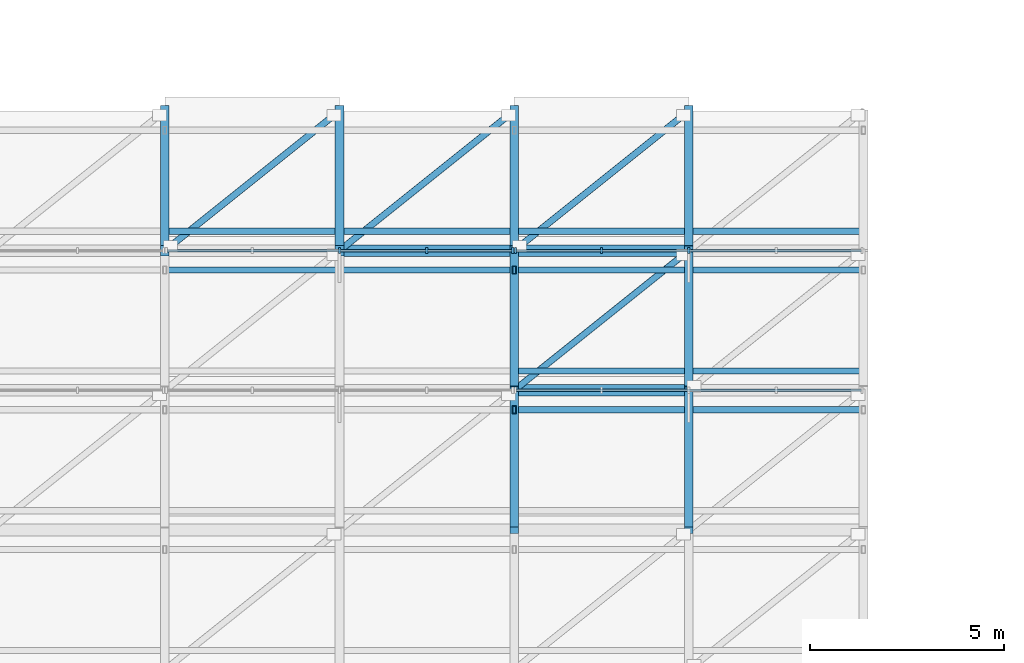
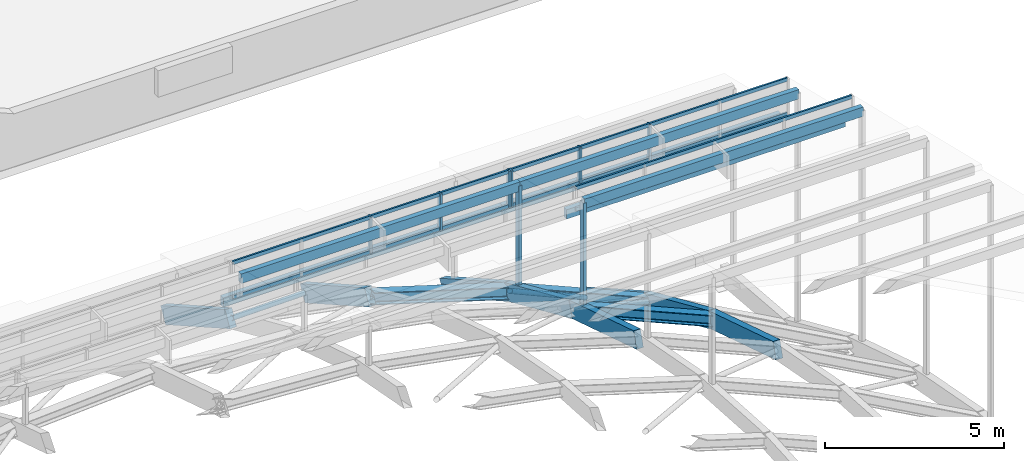
# One storey, part 32 of 69: 24 members, 11 beams, 3 elements without a shape of their own.
"""IFC4 building model written with IfcOpenShell, lengths in metres."""

import ifcopenshell
import ifcopenshell.guid

model = None  # the IFC model being written
_history = None  # IfcOwnerHistory: only IFC2X3 demands one
_inside = {}  # id of a spatial element -> (the spatial element, [elements in it])
_under = {}  # id of a project, library or spatial element -> (it, [spatial elements below it])
_declared = {}  # id of a project -> (the project, [libraries it declares])
_typed = {}  # id of a type object -> (the type object, [elements of that type])
_made_of = {}  # id of a material, layer set ... -> (it, [elements and type objects made of it])


def new_model(schema):
    """Start an empty IFC model of exactly this schema.

    Asked for "IFC4X3", IfcOpenShell would pick the latest addendum, in which some entities
    have other attributes; the version numbers below select the first issue.
    IFC2X3 requires an IfcOwnerHistory on every rooted entity: one is made here for all.
    """
    global model, _history
    if schema == "IFC4X3":
        model = ifcopenshell.file(schema_version=(4, 3, 0, 0))
    else:
        model = ifcopenshell.file(schema=schema)
    _inside.clear()
    _under.clear()
    _declared.clear()
    _typed.clear()
    _made_of.clear()
    _history = None
    if model.schema == "IFC2X3":
        org = make("IfcOrganization", Name="unknown")
        user = make(
            "IfcPersonAndOrganization",
            ThePerson=make("IfcPerson", FamilyName="unknown"),
            TheOrganization=org,
        )
        app = make(
            "IfcApplication",
            ApplicationDeveloper=org,
            Version="unknown",
            ApplicationFullName="unknown",
            ApplicationIdentifier="unknown",
        )
        _history = make(
            "IfcOwnerHistory",
            OwningUser=user,
            OwningApplication=app,
            ChangeAction="ADDED",
            CreationDate=0,
        )
    return model


def make(cls, **values):
    """One entity of the class cls with the attributes given. An attribute that is None is left unset."""
    return model.create_entity(
        cls, **{name: value for name, value in values.items() if value is not None}
    )


def rooted(cls, **values):
    """An entity with a GlobalId (a new one), such as an element, a storey or a relation."""
    return make(cls, GlobalId=ifcopenshell.guid.new(), OwnerHistory=_history, **values)


def si_unit(unit_type, name, prefix=None):
    """IfcSIUnit, for example si_unit("LENGTHUNIT", "METRE", prefix="MILLI")."""
    return make("IfcSIUnit", UnitType=unit_type, Prefix=prefix, Name=name)


def assignment(units):
    """IfcUnitAssignment: the units of a project."""
    return None if units is None else make("IfcUnitAssignment", Units=units)


def point(xyz):
    """IfcCartesianPoint."""
    return None if xyz is None else make("IfcCartesianPoint", Coordinates=xyz)


def direction(xyz):
    """IfcDirection."""
    return None if xyz is None else make("IfcDirection", DirectionRatios=xyz)


def frame(location, z_axis=None, x_axis=None):
    """IfcAxis2Placement3D, a coordinate frame: its origin and axes. An axis left out is left unset."""
    return make(
        "IfcAxis2Placement3D",
        Location=point(location),
        Axis=direction(z_axis),
        RefDirection=direction(x_axis),
    )


def frame_2d(location, x_axis=None):
    """IfcAxis2Placement2D, a coordinate frame in the plane: its origin and x axis."""
    return make(
        "IfcAxis2Placement2D", Location=point(location), RefDirection=direction(x_axis)
    )


def origin():
    """The frame at (0, 0, 0) with its axes left unset."""
    return frame((0.0, 0.0, 0.0))


def origin_2d():
    """The frame at (0, 0) in the plane with its x axis left unset."""
    return frame_2d((0.0, 0.0))


def place(relative_to, where):
    """IfcLocalPlacement: puts the frame where relative to a parent placement (None: the world)."""
    return make(
        "IfcLocalPlacement", PlacementRelTo=relative_to, RelativePlacement=where
    )


def context(
    kind, dimensions, precision=None, world=None, true_north=None, identifier=None
):
    """IfcGeometricRepresentationContext, for example the 3D "Model" context."""
    return make(
        "IfcGeometricRepresentationContext",
        ContextIdentifier=identifier,
        ContextType=kind,
        CoordinateSpaceDimension=dimensions,
        Precision=precision,
        WorldCoordinateSystem=world,
        TrueNorth=true_north,
    )


def subcontext(parent, identifier, kind, view, scale=None):
    """IfcGeometricRepresentationSubContext, for example "Body" below "Model"."""
    return make(
        "IfcGeometricRepresentationSubContext",
        ContextIdentifier=identifier,
        ContextType=kind,
        ParentContext=parent,
        TargetScale=scale,
        TargetView=view,
    )


def project(units=None, contexts=None):
    """IfcProject with its units and contexts."""
    return rooted(
        "IfcProject",
        Name="project",
        RepresentationContexts=contexts,
        UnitsInContext=assignment(units),
    )


def spatial(cls, under=None, at=None, **own):
    """A site, building, storey or space (cls), placed at a placement, below another one or the project."""
    s = rooted(cls, ObjectPlacement=at, **own)
    if under is not None:
        _under.setdefault(under.id(), (under, []))[1].append(s)
    return s


def profile(cls, at=None, kind="AREA", **sizes):
    """A parametric profile (cls). Its sizes go by their IFC names, for example OverallWidth=200.0."""
    return make(cls, ProfileType=kind, Position=at, **sizes)


def rectangle(**sizes):
    """IfcRectangleProfileDef."""
    return profile("IfcRectangleProfileDef", **sizes)


def hollow_rectangle(**sizes):
    """IfcRectangleHollowProfileDef."""
    return profile("IfcRectangleHollowProfileDef", **sizes)


def hollow_circle(**sizes):
    """IfcCircleHollowProfileDef."""
    return profile("IfcCircleHollowProfileDef", **sizes)


def i_section(**sizes):
    """IfcIShapeProfileDef."""
    return profile("IfcIShapeProfileDef", **sizes)


def extrude(swept, where, along, depth):
    """IfcExtrudedAreaSolid: the profile swept, set in the frame where, extruded along a direction by depth."""
    return make(
        "IfcExtrudedAreaSolid",
        SweptArea=swept,
        Position=where,
        ExtrudedDirection=direction(along),
        Depth=depth,
    )


def shape(context_of_items, identifier, shape_type, items):
    """IfcShapeRepresentation: the items that make up one representation, for example the "Body"."""
    return make(
        "IfcShapeRepresentation",
        ContextOfItems=context_of_items,
        RepresentationIdentifier=identifier,
        RepresentationType=shape_type,
        Items=items,
    )


def material(Name=None, Category=None):
    """IfcMaterial."""
    return make("IfcMaterial", Name=Name, Category=Category)


def layer(
    of_material, thickness, ventilated=None, Name=None, Category=None, Priority=None
):
    """IfcMaterialLayer: one layer of a wall or slab, of a material (None: an air gap)."""
    return make(
        "IfcMaterialLayer",
        Material=of_material,
        LayerThickness=thickness,
        IsVentilated=ventilated,
        Name=Name,
        Category=Category,
        Priority=Priority,
    )


def layer_set(layers, Name=None):
    """IfcMaterialLayerSet."""
    return make("IfcMaterialLayerSet", MaterialLayers=layers, LayerSetName=Name)


def material_profile(
    of_material, cross_section, Name=None, Category=None, Priority=None
):
    """IfcMaterialProfile: a cross section and its material."""
    return make(
        "IfcMaterialProfile",
        Name=Name,
        Material=of_material,
        Profile=cross_section,
        Priority=Priority,
        Category=Category,
    )


def profile_set(profiles, Name=None, composite=None):
    """IfcMaterialProfileSet."""
    return make(
        "IfcMaterialProfileSet",
        Name=Name,
        MaterialProfiles=profiles,
        CompositeProfile=composite,
    )


def made_of(thing, what):
    """Note that an element or type object is made of a material, layer set ...; save() writes the relation."""
    if what is not None:
        _made_of.setdefault(what.id(), (what, []))[1].append(thing)
    return thing


def type_object(cls, material=None, **own):
    """A type object (cls), such as IfcWallType, which elements share."""
    return made_of(rooted(cls, **own), material)


def element(
    cls,
    number,
    at=None,
    inside=None,
    cuts=None,
    type_object=None,
    material=None,
    context=None,
    identifier="Body",
    shape_type=None,
    held_by="IfcProductDefinitionShape",
    body=None,
    shapes=None,
    **own,
):
    """One element of the class cls, such as IfcWall. Its Tag is "e" and its number.

    at: its placement. inside: the storey or other place that contains it. cuts: it is an
    opening in that element (IfcRelVoidsElement). A single representation is given by context,
    identifier, shape_type and body (its items); several are given by shapes. held_by: the class
    of the entity that holds the representations. save() writes the other relations.
    """
    e = rooted(cls, Tag="e%d" % number, ObjectPlacement=at, **own)
    if body is not None:
        shapes = [shape(context, identifier, shape_type, body)]
    if shapes is not None:
        e.Representation = make(held_by, Representations=shapes)
    if inside is not None:
        _inside.setdefault(inside.id(), (inside, []))[1].append(e)
    if cuts is not None:
        rooted(
            "IfcRelVoidsElement", RelatingBuildingElement=cuts, RelatedOpeningElement=e
        )
    if type_object is not None:
        _typed.setdefault(type_object.id(), (type_object, []))[1].append(e)
    return made_of(e, material)


def aggregate(whole, parts):
    """IfcRelAggregates: a whole, such as a stair, and the parts it consists of."""
    return rooted("IfcRelAggregates", RelatingObject=whole, RelatedObjects=parts)


def save(model, path):
    """Write the relations noted so far, then the file.

    IfcRelAggregates (storeys below a building ...), IfcRelContainedInSpatialStructure (elements
    in a storey), IfcRelDefinesByType, IfcRelAssociatesMaterial and IfcRelDeclares: one each for
    every whole, place, type object, material and project.
    """
    for whole, parts in _under.values():
        aggregate(whole, parts)
    for where, things in _inside.values():
        rooted(
            "IfcRelContainedInSpatialStructure",
            RelatedElements=things,
            RelatingStructure=where,
        )
    for kind, things in _typed.values():
        rooted("IfcRelDefinesByType", RelatedObjects=things, RelatingType=kind)
    for what, things in _made_of.values():
        rooted("IfcRelAssociatesMaterial", RelatedObjects=things, RelatingMaterial=what)
    for by, libraries in _declared.values():
        rooted("IfcRelDeclares", RelatingContext=by, RelatedDefinitions=libraries)
    model.write(path)


model = new_model("IFC4")

# Units and contexts
model_context = context("Model", 3, precision=1e-05, world=origin(), true_north=direction((0.0, 1.0)))
body_context = subcontext(model_context, "Body", "Model", "MODEL_VIEW")
ifc_project = project(units=[si_unit("LENGTHUNIT", "METRE"), si_unit("AREAUNIT", "SQUARE_METRE"), si_unit("VOLUMEUNIT", "CUBIC_METRE"), si_unit("PLANEANGLEUNIT", "RADIAN"), si_unit("MASSUNIT", "GRAM", prefix="KILO")], contexts=[model_context])

# Site, building, storey
site_placement = place(None, origin())
site = spatial("IfcSite", under=ifc_project, at=site_placement, CompositionType="ELEMENT")
building_placement = place(site_placement, origin())
building = spatial("IfcBuilding", under=site, at=building_placement, Name="Montealbar Specialist Clinic", CompositionType="ELEMENT")
storey_placement = place(building_placement, frame((0.0, 0.0, 9.60009765625)))
storey = spatial("IfcBuildingStorey", under=building, at=storey_placement, Name="L02", CompositionType="ELEMENT", Elevation=9.60009765625)

# Beams
ifc_material_1 = material(Name="Steel S355", Category="steel")
ifc_material_profile_1 = material_profile(ifc_material_1, i_section(OverallWidth=0.300048828125, OverallDepth=0.360107421875, WebThickness=0.012451171875, FlangeThickness=0.0224609375, FilletRadius=0.027099609375, at=origin_2d()), Name="HEB 360", Category="steel")
ifc_profile_set_1 = profile_set([ifc_material_profile_1], Name="Steel S355")
beam_type_1 = type_object("IfcBeamType", Name="BM-GIRD-HEB360-EXT", PredefinedType="BEAM", material=ifc_profile_set_1)
beam_1_placement = place(storey_placement, frame((90.0, 73.800048828125, 6.643798828125), z_axis=(0.918302852681, 0.0, -0.395878606087), x_axis=(0.0, 1.0, 0.0)))
element("IfcBeam", 1, at=beam_1_placement, inside=storey, type_object=beam_type_1, Name="Gridshell Roof Truss Arch Rib X 8-8", PredefinedType="BEAM", context=body_context, shape_type="SweptSolid", body=[
    extrude(i_section(OverallWidth=0.300048828125, OverallDepth=0.360107421875, WebThickness=0.012451171875, FlangeThickness=0.0224609375, FilletRadius=0.027099609375, at=origin_2d()), origin(), (0.0, 0.0, 1.0), 4.900390625),
])
ifc_material_profile_2 = material_profile(ifc_material_1, i_section(OverallWidth=0.300048828125, OverallDepth=0.39990234375, WebThickness=0.013427734375, FlangeThickness=0.02392578125, FilletRadius=0.027099609375, at=origin_2d()), Name="HEB 400", Category="steel")
ifc_profile_set_2 = profile_set([ifc_material_profile_2], Name="Steel S355")
beam_type_2 = type_object("IfcBeamType", Name="BM-GIRD-HEB400-EXT", PredefinedType="BEAM", material=ifc_profile_set_2)
beam_2_placement = place(storey_placement, frame((85.5, 77.39990234375, 6.44189453125), z_axis=(0.955697132972, 0.0, -0.294351813362), x_axis=(0.0, 1.0, 0.0)))
element("IfcBeam", 2, at=beam_2_placement, inside=storey, type_object=beam_type_2, Name="Gridshell Roof Truss Arch Rib X 9-7", PredefinedType="BEAM", context=body_context, shape_type="SweptSolid", body=[
    extrude(i_section(OverallWidth=0.300048828125, OverallDepth=0.39990234375, WebThickness=0.013427734375, FlangeThickness=0.02392578125, FilletRadius=0.027099609375, at=origin_2d()), origin(), (0.0, 0.0, 1.0), 4.70849609375),
])
beam_3_placement = place(storey_placement, frame((90.0, 77.39990234375, 5.055908203125), z_axis=(0.918302852681, 0.0, -0.395878606087), x_axis=(0.0, 1.0, 0.0)))
element("IfcBeam", 3, at=beam_3_placement, inside=storey, type_object=beam_type_2, Name="Gridshell Roof Truss Arch Rib X 9-8", PredefinedType="BEAM", context=body_context, shape_type="SweptSolid", body=[
    extrude(i_section(OverallWidth=0.300048828125, OverallDepth=0.39990234375, WebThickness=0.013427734375, FlangeThickness=0.02392578125, FilletRadius=0.027099609375, at=origin_2d()), origin(), (0.0, 0.0, 1.0), 4.900390625),
])
ifc_material_2 = material(Name="Glulam GL28h", Category="wood")
ifc_material_profile_3 = material_profile(ifc_material_2, rectangle(XDim=0.219970703125, YDim=0.56005859375, at=origin_2d()), Name="GL28h 220x560", Category="wood")
ifc_profile_set_3 = profile_set([ifc_material_profile_3], Name="Glulam GL28h")
beam_type_3 = type_object("IfcBeamType", Name="BM-GL-220x560-EXT", PredefinedType="BEAM", material=ifc_profile_set_3)
for number, where, z_axis, x_axis, name in (
    (4, (81.0, 77.39990234375, 7.27392578125), (0.0, 0.869922637782, -0.493188203706), (-1.0, 0.0, 0.0), "Gridshell Glulam Roof Truss Rib Y 6-9"),
    (5, (85.5, 77.39990234375, 6.44189453125), (0.0, 0.869922637782, -0.493188203706), (-1.0, 0.0, 0.0), "Gridshell Glulam Roof Truss Rib Y 7-9"),
):
    element("IfcBeam", number, at=place(storey_placement, frame(where, z_axis=z_axis, x_axis=x_axis)), inside=storey, type_object=beam_type_3, Name=name, PredefinedType="BEAM", context=body_context, shape_type="SweptSolid", body=[
        extrude(rectangle(XDim=0.219970703125, YDim=0.56005859375, at=origin_2d()), origin(), (0.0, 0.0, 1.0), 4.138427734375),
    ])
beam_4_placement = place(storey_placement, frame((90.0, 70.199951171875, 7.77783203125), z_axis=(0.0, 0.953798460342, -0.300447161826), x_axis=(-1.0, 0.0, 0.0)))
element("IfcBeam", 6, at=beam_4_placement, inside=storey, type_object=beam_type_3, Name="Gridshell Glulam Roof Truss Rib Y 8-7", PredefinedType="BEAM", context=body_context, shape_type="SweptSolid", body=[
    extrude(rectangle(XDim=0.219970703125, YDim=0.56005859375, at=origin_2d()), origin(), (0.0, 0.0, 1.0), 3.7744140625),
])
beam_5_placement = place(storey_placement, frame((90.0, 73.800048828125, 6.643798828125), z_axis=(0.0, 0.914944084874, -0.403580625841), x_axis=(-1.0, 0.0, 0.0)))
element("IfcBeam", 7, at=beam_5_placement, inside=storey, type_object=beam_type_3, Name="Gridshell Glulam Roof Truss Rib Y 8-8", PredefinedType="BEAM", context=body_context, shape_type="SweptSolid", body=[
    extrude(rectangle(XDim=0.219970703125, YDim=0.56005859375, at=origin_2d()), origin(), (0.0, 0.0, 1.0), 3.9345703125),
])
beam_6_placement = place(storey_placement, frame((90.0, 77.39990234375, 5.055908203125), z_axis=(0.0, 0.869922637782, -0.493188203706), x_axis=(-1.0, 0.0, 0.0)))
element("IfcBeam", 8, at=beam_6_placement, inside=storey, type_object=beam_type_3, Name="Gridshell Glulam Roof Truss Rib Y 8-9", PredefinedType="BEAM", context=body_context, shape_type="SweptSolid", body=[
    extrude(rectangle(XDim=0.219970703125, YDim=0.56005859375, at=origin_2d()), origin(), (0.0, 0.0, 1.0), 4.138427734375),
])
beam_7_placement = place(storey_placement, frame((94.5, 70.199951171875, 5.837890625), z_axis=(0.0, 0.953798460342, -0.300447161826), x_axis=(-1.0, 0.0, 0.0)))
element("IfcBeam", 9, at=beam_7_placement, inside=storey, type_object=beam_type_3, Name="Gridshell Glulam Roof Truss Rib Y 9-7", PredefinedType="BEAM", context=body_context, shape_type="SweptSolid", body=[
    extrude(rectangle(XDim=0.219970703125, YDim=0.56005859375, at=origin_2d()), origin(), (0.0, 0.0, 1.0), 3.7744140625),
])
beam_8_placement = place(storey_placement, frame((94.5, 73.800048828125, 4.703857421875), z_axis=(0.0, 0.914944084874, -0.403580625841), x_axis=(-1.0, 0.0, 0.0)))
element("IfcBeam", 10, at=beam_8_placement, inside=storey, type_object=beam_type_3, Name="Gridshell Glulam Roof Truss Rib Y 9-8", PredefinedType="BEAM", context=body_context, shape_type="SweptSolid", body=[
    extrude(rectangle(XDim=0.219970703125, YDim=0.56005859375, at=origin_2d()), origin(), (0.0, 0.0, 1.0), 3.9345703125),
])
beam_9_placement = place(storey_placement, frame((94.5, 77.39990234375, 3.115966796875), z_axis=(0.0, 0.869922637782, -0.493188203706), x_axis=(-1.0, 0.0, 0.0)))
element("IfcBeam", 11, at=beam_9_placement, inside=storey, type_object=beam_type_3, Name="Gridshell Glulam Roof Truss Rib Y 9-9", PredefinedType="BEAM", context=body_context, shape_type="SweptSolid", body=[
    extrude(rectangle(XDim=0.219970703125, YDim=0.56005859375, at=origin_2d()), origin(), (0.0, 0.0, 1.0), 4.138427734375),
])

# Curtain wall, members
ifc_material_3 = material(Name="Low-E double glazing", Category="glass")
ifc_layer_1 = layer(ifc_material_3, 0.199951171875, Name="Low-E double glazing", Category="glass")
ifc_layer_set_1 = layer_set([ifc_layer_1], Name="Low-E double glazing")
curtain_wall_type_1 = type_object("IfcCurtainWallType", Name="CW-TYPE-47", PredefinedType="NOTDEFINED", material=ifc_layer_set_1)
curtain_wall_1_placement = place(storey_placement, origin())
curtain_wall_1 = element("IfcCurtainWall", 12, at=curtain_wall_1_placement, inside=storey, type_object=curtain_wall_type_1, Name="Unitised Curtain Wall CW-L02-810-774-900-774-175", PredefinedType="NOTDEFINED")
ifc_material_4 = material(Name="Anodised aluminium EN AW-6063", Category="aluminium")
ifc_material_profile_4 = material_profile(ifc_material_4, rectangle(XDim=0.06005859375, YDim=0.159912109375, at=origin_2d()), Name="ALU 60x160", Category="aluminium")
ifc_profile_set_4 = profile_set([ifc_material_profile_4], Name="Anodised aluminium EN AW-6063")
member_type_1 = type_object("IfcMemberType", Name="CW-MUL-160", PredefinedType="MULLION", material=ifc_profile_set_4)
member_1_placement = place(storey_placement, frame((85.5, 77.39990234375, 7.933837890625), z_axis=(0.0, 0.0, 1.0), x_axis=(1.0, 0.0, 0.0)))
member_1 = element("IfcMember", 13, at=member_1_placement, type_object=member_type_1, Name="Curtain Wall Mullion CW-L02-810-774-900-774-175-02", PredefinedType="MULLION", context=body_context, shape_type="SweptSolid", body=[
    extrude(rectangle(XDim=0.06005859375, YDim=0.159912109375, at=origin_2d()), origin(), (0.0, 0.0, 1.0), 1.257080078125),
])
member_2_placement = place(storey_placement, frame((87.75, 77.39990234375, 7.933837890625), z_axis=(0.0, 0.0, 1.0), x_axis=(1.0, 0.0, 0.0)))
member_2 = element("IfcMember", 14, at=member_2_placement, type_object=member_type_1, Name="Curtain Wall Mullion CW-L02-810-774-900-774-175-03", PredefinedType="MULLION", context=body_context, shape_type="SweptSolid", body=[
    extrude(rectangle(XDim=0.06005859375, YDim=0.159912109375, at=origin_2d()), origin(), (0.0, 0.0, 1.0), 1.257080078125),
])
member_3_placement = place(storey_placement, frame((89.965087890625, 77.39990234375, 7.933837890625), z_axis=(0.0, 0.0, 1.0), x_axis=(1.0, 0.0, 0.0)))
member_3 = element("IfcMember", 15, at=member_3_placement, type_object=member_type_1, Name="Curtain Wall Mullion CW-L02-810-774-900-774-175-04", PredefinedType="MULLION", context=body_context, shape_type="SweptSolid", body=[
    extrude(rectangle(XDim=0.06005859375, YDim=0.159912109375, at=origin_2d()), origin(), (0.0, 0.0, 1.0), 1.257080078125),
])

curtain_wall_2_placement = place(storey_placement, origin())
curtain_wall_2 = element("IfcCurtainWall", 16, at=curtain_wall_2_placement, inside=storey, type_object=curtain_wall_type_1, Name="Unitised Curtain Wall CW-L02-900-774-990-774-175", PredefinedType="NOTDEFINED")
member_4_placement = place(storey_placement, frame((90.034912109375, 77.39990234375, 7.933837890625), z_axis=(0.0, 0.0, 1.0), x_axis=(1.0, 0.0, 0.0)))
member_4 = element("IfcMember", 17, at=member_4_placement, type_object=member_type_1, Name="Curtain Wall Mullion CW-L02-900-774-990-774-175-00", PredefinedType="MULLION", context=body_context, shape_type="SweptSolid", body=[
    extrude(rectangle(XDim=0.06005859375, YDim=0.159912109375, at=origin_2d()), origin(), (0.0, 0.0, 1.0), 1.257080078125),
])
member_5_placement = place(storey_placement, frame((92.25, 77.39990234375, 7.933837890625), z_axis=(0.0, 0.0, 1.0), x_axis=(1.0, 0.0, 0.0)))
member_5 = element("IfcMember", 18, at=member_5_placement, type_object=member_type_1, Name="Curtain Wall Mullion CW-L02-900-774-990-774-175-01", PredefinedType="MULLION", context=body_context, shape_type="SweptSolid", body=[
    extrude(rectangle(XDim=0.06005859375, YDim=0.159912109375, at=origin_2d()), origin(), (0.0, 0.0, 1.0), 1.257080078125),
])
member_6_placement = place(storey_placement, frame((94.5, 77.39990234375, 7.933837890625), z_axis=(0.0, 0.0, 1.0), x_axis=(1.0, 0.0, 0.0)))
member_6 = element("IfcMember", 19, at=member_6_placement, type_object=member_type_1, Name="Curtain Wall Mullion CW-L02-900-774-990-774-175-02", PredefinedType="MULLION", context=body_context, shape_type="SweptSolid", body=[
    extrude(rectangle(XDim=0.06005859375, YDim=0.159912109375, at=origin_2d()), origin(), (0.0, 0.0, 1.0), 1.257080078125),
])

ifc_layer_2 = layer(ifc_material_3, 0.199951171875, Name="Low-E double glazing", Category="glass")
ifc_layer_set_2 = layer_set([ifc_layer_2], Name="Low-E double glazing")
curtain_wall_type_2 = type_object("IfcCurtainWallType", Name="CW-TYPE-48", PredefinedType="NOTDEFINED", material=ifc_layer_set_2)
curtain_wall_3_placement = place(storey_placement, origin())
curtain_wall_3 = element("IfcCurtainWall", 20, at=curtain_wall_3_placement, inside=storey, type_object=curtain_wall_type_2, Name="Unitised Curtain Wall CW-L02-900-738-990-738-196", PredefinedType="NOTDEFINED")
ifc_material_5 = material(Name="Powder-coated aluminium", Category="aluminium")
ifc_material_profile_5 = material_profile(ifc_material_5, rectangle(XDim=0.06005859375, YDim=0.1201171875, at=origin_2d()), Name="ALU 60x120", Category="aluminium")
ifc_profile_set_5 = profile_set([ifc_material_profile_5], Name="Powder-coated aluminium")
member_type_2 = type_object("IfcMemberType", Name="CW-TRN-120", PredefinedType="USERDEFINED", material=ifc_profile_set_5)
member_7_placement = place(storey_placement, frame((90.050048828125, 73.800048828125, 10.014892578125), z_axis=(1.0, 0.0, 0.0), x_axis=(0.0, 1.0, 0.0)))
member_7 = element("IfcMember", 21, at=member_7_placement, type_object=member_type_2, Name="Curtain Wall Transom CW-L02-900-738-990-738-196-00", ObjectType="TRANSOM", PredefinedType="USERDEFINED", context=body_context, shape_type="SweptSolid", body=[
    extrude(rectangle(XDim=0.06005859375, YDim=0.1201171875, at=origin_2d()), origin(), (0.0, 0.0, 1.0), 8.89990234375),
])
member_8_placement = place(storey_placement, frame((90.050048828125, 73.800048828125, 10.739013671875), z_axis=(1.0, 0.0, 0.0), x_axis=(0.0, 1.0, 0.0)))
member_8 = element("IfcMember", 22, at=member_8_placement, type_object=member_type_2, Name="Curtain Wall Transom CW-L02-900-738-990-738-196-01", ObjectType="TRANSOM", PredefinedType="USERDEFINED", context=body_context, shape_type="SweptSolid", body=[
    extrude(rectangle(XDim=0.06005859375, YDim=0.1201171875, at=origin_2d()), origin(), (0.0, 0.0, 1.0), 8.89990234375),
])
aggregate(curtain_wall_3, [member_7, member_8])

# Member
member_9_placement = place(storey_placement, frame((81.050048828125, 77.39990234375, 7.973876953125), z_axis=(1.0, 0.0, 0.0), x_axis=(0.0, 1.0, 0.0)))
member_9 = element("IfcMember", 23, at=member_9_placement, type_object=member_type_2, Name="Curtain Wall Transom CW-L02-810-774-900-774-175-00", ObjectType="TRANSOM", PredefinedType="USERDEFINED", context=body_context, shape_type="SweptSolid", body=[
    extrude(rectangle(XDim=0.06005859375, YDim=0.1201171875, at=origin_2d()), origin(), (0.0, 0.0, 1.0), 8.89990234375),
])

member_10_placement = place(storey_placement, frame((81.050048828125, 77.39990234375, 9.15087890625), z_axis=(1.0, 0.0, 0.0), x_axis=(0.0, 1.0, 0.0)))
member_10 = element("IfcMember", 24, at=member_10_placement, type_object=member_type_2, Name="Curtain Wall Transom CW-L02-810-774-900-774-175-01", ObjectType="TRANSOM", PredefinedType="USERDEFINED", context=body_context, shape_type="SweptSolid", body=[
    extrude(rectangle(XDim=0.06005859375, YDim=0.1201171875, at=origin_2d()), origin(), (0.0, 0.0, 1.0), 8.89990234375),
])

aggregate(curtain_wall_1, [member_1, member_2, member_3, member_9, member_10])

member_11_placement = place(storey_placement, frame((90.050048828125, 77.39990234375, 7.973876953125), z_axis=(1.0, 0.0, 0.0), x_axis=(0.0, 1.0, 0.0)))
member_11 = element("IfcMember", 25, at=member_11_placement, type_object=member_type_2, Name="Curtain Wall Transom CW-L02-900-774-990-774-175-00", ObjectType="TRANSOM", PredefinedType="USERDEFINED", context=body_context, shape_type="SweptSolid", body=[
    extrude(rectangle(XDim=0.06005859375, YDim=0.1201171875, at=origin_2d()), origin(), (0.0, 0.0, 1.0), 8.89990234375),
])

member_12_placement = place(storey_placement, frame((90.050048828125, 77.39990234375, 9.15087890625), z_axis=(1.0, 0.0, 0.0), x_axis=(0.0, 1.0, 0.0)))
member_12 = element("IfcMember", 26, at=member_12_placement, type_object=member_type_2, Name="Curtain Wall Transom CW-L02-900-774-990-774-175-01", ObjectType="TRANSOM", PredefinedType="USERDEFINED", context=body_context, shape_type="SweptSolid", body=[
    extrude(rectangle(XDim=0.06005859375, YDim=0.1201171875, at=origin_2d()), origin(), (0.0, 0.0, 1.0), 8.89990234375),
])

aggregate(curtain_wall_2, [member_4, member_5, member_6, member_11, member_12])

# Members
ifc_material_profile_6 = material_profile(ifc_material_1, hollow_circle(Radius=0.084228515625, WallThickness=0.008056640625, at=origin_2d()), Name="CHS 168.3x8.0", Category="steel")
ifc_profile_set_6 = profile_set([ifc_material_profile_6], Name="Steel S355")
member_type_3 = type_object("IfcMemberType", Name="MB-GS-DIAG-EXT", PredefinedType="BRACE", material=ifc_profile_set_6)
member_13_placement = place(storey_placement, frame((81.0, 77.39990234375, 7.27392578125), z_axis=(0.698829367589, 0.559078659639, -0.446171006825), x_axis=(-0.624705380279, 0.780860543151, 0.0)))
element("IfcMember", 27, at=member_13_placement, inside=storey, type_object=member_type_3, Name="Gridshell Roof Brace 6-9", PredefinedType="BRACE", context=body_context, shape_type="SweptSolid", body=[
    extrude(hollow_circle(Radius=0.084228515625, WallThickness=0.008056640625, at=origin_2d()), origin(), (0.0, 0.0, 1.0), 6.439453125),
])
member_14_placement = place(storey_placement, frame((85.5, 77.39990234375, 6.44189453125), z_axis=(0.671155715409, 0.536939137339, -0.511122655013), x_axis=(-0.624705380279, 0.780860543151, 0.0)))
element("IfcMember", 28, at=member_14_placement, inside=storey, type_object=member_type_3, Name="Gridshell Roof Brace 7-9", PredefinedType="BRACE", context=body_context, shape_type="SweptSolid", body=[
    extrude(hollow_circle(Radius=0.084228515625, WallThickness=0.008056640625, at=origin_2d()), origin(), (0.0, 0.0, 1.0), 6.704833984375),
])
member_15_placement = place(storey_placement, frame((90.0, 73.800048828125, 6.643798828125), z_axis=(0.665994293918, 0.532773755633, -0.52211466727), x_axis=(-0.624679547852, 0.780881208953, 0.0)))
element("IfcMember", 29, at=member_15_placement, inside=storey, type_object=member_type_3, Name="Gridshell Roof Brace 8-8", PredefinedType="BRACE", context=body_context, shape_type="SweptSolid", body=[
    extrude(hollow_circle(Radius=0.084228515625, WallThickness=0.008056640625, at=origin_2d()), origin(), (0.0, 0.0, 1.0), 6.7568359375),
])
member_16_placement = place(storey_placement, frame((90.0, 77.39990234375, 5.055908203125), z_axis=(0.642472285985, 0.513991771329, -0.56836768095), x_axis=(-0.624705380279, 0.780860543151, 0.0)))
element("IfcMember", 30, at=member_16_placement, inside=storey, type_object=member_type_3, Name="Gridshell Roof Brace 8-9", PredefinedType="BRACE", context=body_context, shape_type="SweptSolid", body=[
    extrude(hollow_circle(Radius=0.084228515625, WallThickness=0.008056640625, at=origin_2d()), origin(), (0.0, 0.0, 1.0), 7.004150390625),
])
ifc_material_profile_7 = material_profile(ifc_material_2, rectangle(XDim=0.159912109375, YDim=0.320068359375, at=origin_2d()), Name="GL28h 160x320", Category="wood")
ifc_profile_set_7 = profile_set([ifc_material_profile_7], Name="Glulam GL28h")
member_type_4 = type_object("IfcMemberType", Name="MB-GS-PURLIN-GL-EXT", PredefinedType="PURLIN", material=ifc_profile_set_7)
for number, where, z_axis, x_axis, name in (
    (31, (90.0, 73.300048828125, 10.553955078125), (1.0, 0.0, 0.0), (0.0, 1.0, 0.0), "Gridshell Glulam Purlin 8-5-2"),
    (32, (81.0, 76.89990234375, 8.9658203125), (1.0, 0.0, 0.0), (0.0, 1.0, 0.0), "Gridshell Glulam Purlin 9-4-2"),
    (33, (90.0, 74.300048828125, 9.58984375), (1.0, 0.0, 0.0), (0.0, 1.0, 0.0), "Gridshell Glulam Purlin 9-5-1"),
    (34, (90.0, 76.89990234375, 8.9658203125), (1.0, 0.0, 0.0), (0.0, 1.0, 0.0), "Gridshell Glulam Purlin 9-5-2"),
    (35, (81.0, 77.89990234375, 7.548828125), (1.0, 0.0, 0.0), (0.0, 1.0, 0.0), "Gridshell Glulam Purlin 10-4-1"),
    (36, (90.0, 77.89990234375, 7.548828125), (1.0, 0.0, 0.0), (0.0, 1.0, 0.0), "Gridshell Glulam Purlin 10-5-1"),
):
    element("IfcMember", number, at=place(storey_placement, frame(where, z_axis=z_axis, x_axis=x_axis)), inside=storey, type_object=member_type_4, Name=name, PredefinedType="PURLIN", context=body_context, shape_type="SweptSolid", body=[
        extrude(rectangle(XDim=0.159912109375, YDim=0.320068359375, at=origin_2d()), origin(), (0.0, 0.0, 1.0), 9.0),
    ])
ifc_material_profile_8 = material_profile(ifc_material_1, hollow_rectangle(XDim=0.10009765625, YDim=0.199951171875, WallThickness=0.008056640625, at=origin_2d()), Name="RHS 200x100x8", Category="steel")
ifc_profile_set_8 = profile_set([ifc_material_profile_8], Name="Steel S355")
member_type_5 = type_object("IfcMemberType", Name="MB-GS-PURLIN-ST-EXT", PredefinedType="PURLIN", material=ifc_profile_set_8)
member_17_placement = place(storey_placement, frame((90.0, 73.300048828125, 6.643798828125), z_axis=(0.0, 0.0, 1.0), x_axis=(1.0, 0.0, 0.0)))
element("IfcMember", 37, at=member_17_placement, inside=storey, type_object=member_type_5, Name="Gridshell Monitor Post 8-8", PredefinedType="PURLIN", context=body_context, shape_type="SweptSolid", body=[
    extrude(hollow_rectangle(XDim=0.10009765625, YDim=0.199951171875, WallThickness=0.008056640625, at=origin_2d()), origin(), (0.0, 0.0, 1.0), 3.9521484375),
])
member_18_placement = place(storey_placement, frame((90.0, 76.89990234375, 5.055908203125), z_axis=(0.0, 0.0, 1.0), x_axis=(1.0, 0.0, 0.0)))
element("IfcMember", 38, at=member_18_placement, inside=storey, type_object=member_type_5, Name="Gridshell Monitor Post 9-8", PredefinedType="PURLIN", context=body_context, shape_type="SweptSolid", body=[
    extrude(hollow_rectangle(XDim=0.10009765625, YDim=0.199951171875, WallThickness=0.008056640625, at=origin_2d()), origin(), (0.0, 0.0, 1.0), 3.951904296875),
])

save(model, "model.ifc")
